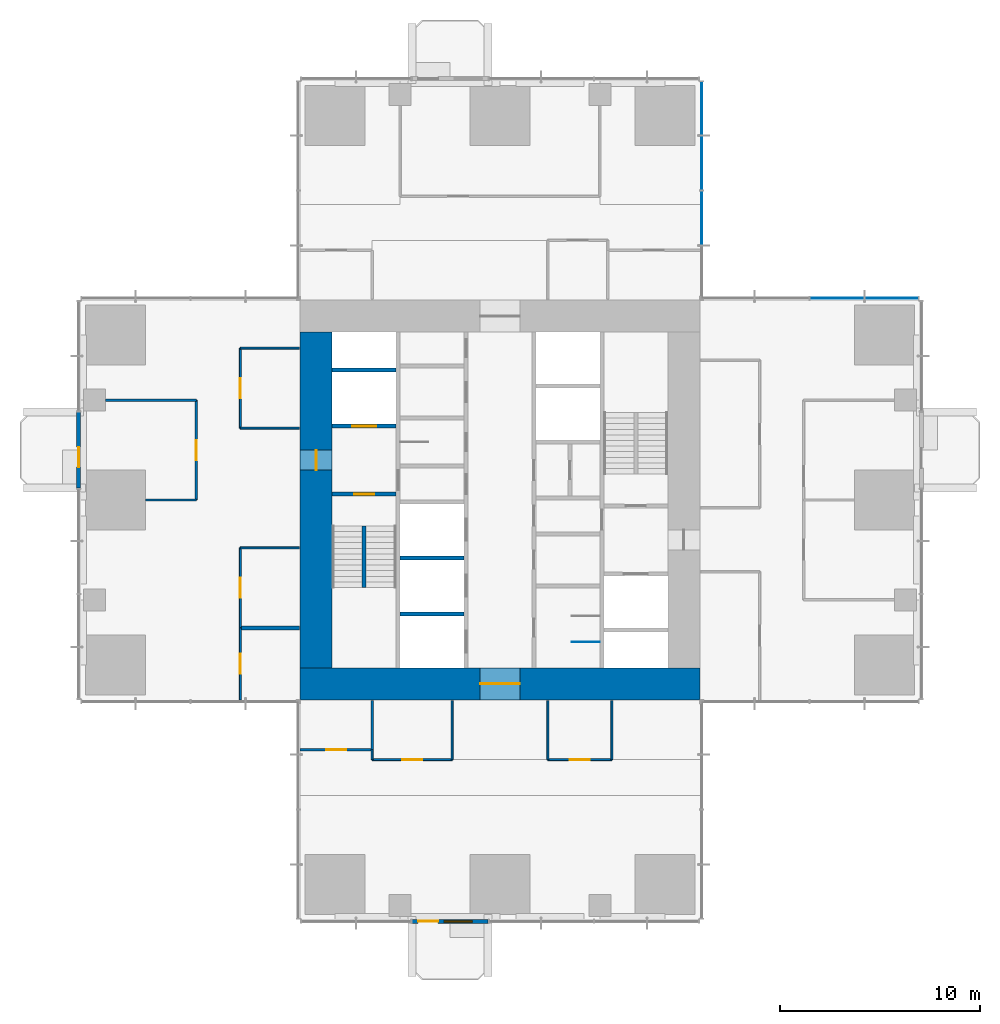
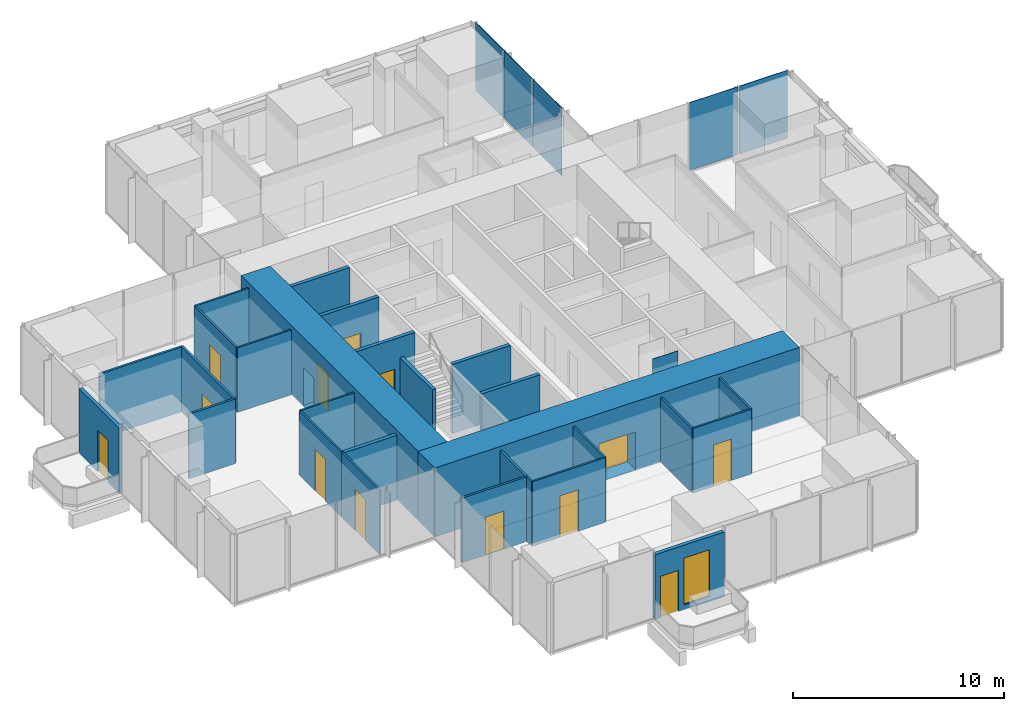
# One storey, part 8 of 13: 29 walls, 13 doors, 5 plates, 1 window, 14 openings, 2 elements without a shape of their own.
"""IFC4 building model written with IfcOpenShell, lengths in metres."""

from ifc_helpers import new_model, si_unit, direction, frame, frame_2d, origin, origin_2d, place, context, subcontext, project, spatial, rectangle, extrude, material, layer, layer_set, type_object, element, fill, aggregate, save


model = new_model("IFC4")

# Units and contexts
model_context = context("Model", 3, precision=1e-05, world=origin(), true_north=direction((0.0, 1.0)))
body_context = subcontext(model_context, "Body", "Model", "MODEL_VIEW")
ifc_project = project(units=[si_unit("LENGTHUNIT", "METRE"), si_unit("AREAUNIT", "SQUARE_METRE"), si_unit("VOLUMEUNIT", "CUBIC_METRE"), si_unit("PLANEANGLEUNIT", "RADIAN"), si_unit("MASSUNIT", "GRAM", prefix="KILO")], contexts=[model_context])

# Site, building, storey
site_placement = place(None, origin())
site = spatial("IfcSite", under=ifc_project, at=site_placement, CompositionType="ELEMENT")
building_placement = place(site_placement, origin())
building = spatial("IfcBuilding", under=site, at=building_placement, Name="Svetlomir Tower", CompositionType="ELEMENT")
storey_placement = place(building_placement, frame((0.0, 0.0, 140.5)))
storey = spatial("IfcBuildingStorey", under=building, at=storey_placement, Name="L33", CompositionType="ELEMENT", Elevation=140.5)

# Curtain wall, plates
ifc_material_1 = material(Name="Bronze anodised aluminium curtain wall", Category="aluminium")
curtain_wall_type = type_object("IfcCurtainWallType", Name="CURTAIN WALL CW1 TOWER OFFICE", PredefinedType="NOTDEFINED", material=ifc_material_1)
curtain_wall_1_placement = place(storey_placement, origin())
curtain_wall_1 = element("IfcCurtainWall", 1, at=curtain_wall_1_placement, inside=storey, type_object=curtain_wall_type, Name="Curtain wall CW1 L33", PredefinedType="NOTDEFINED")
ifc_material_2 = material(Name="Tinted double glazed unit", Category="glass")
ifc_layer_1 = layer(ifc_material_2, 0.031982421875)
ifc_layer_set_1 = layer_set([ifc_layer_1], Name="Tinted double glazed unit")
plate_type = type_object("IfcPlateType", Name="CW1 GLAZED PANEL 32", PredefinedType="CURTAIN_PANEL", material=ifc_layer_set_1)
plate_1_placement = place(storey_placement, frame((40.608642578125, 31.10009765625, 0.06494140625), z_axis=(0.0, 0.0, 1.0), x_axis=(-1.0, 0.0, 0.0)))
plate_1 = element("IfcPlate", 2, at=plate_1_placement, type_object=plate_type, Name="CW1 panel 1.1", PredefinedType="CURTAIN_PANEL", context=body_context, shape_type="SweptSolid", body=[
    extrude(rectangle(XDim=2.652587890625, YDim=0.031982421875, at=origin_2d()), origin(), (0.0, 0.0, 1.0), 3.93505859375),
])
plate_2_placement = place(storey_placement, frame((37.875, 31.10009765625, 0.06494140625), z_axis=(0.0, 0.0, 1.0), x_axis=(-1.0, 0.0, 0.0)))
plate_2 = element("IfcPlate", 3, at=plate_2_placement, type_object=plate_type, Name="CW1 panel 2.1", PredefinedType="CURTAIN_PANEL", context=body_context, shape_type="SweptSolid", body=[
    extrude(rectangle(XDim=2.68505859375, YDim=0.031982421875, at=origin_2d()), origin(), (0.0, 0.0, 1.0), 3.93505859375),
])
aggregate(curtain_wall_1, [plate_1, plate_2])

curtain_wall_2_placement = place(storey_placement, origin())
curtain_wall_2 = element("IfcCurtainWall", 4, at=curtain_wall_2_placement, inside=storey, type_object=curtain_wall_type, Name="Curtain wall CW1 L33", PredefinedType="NOTDEFINED")
plate_3_placement = place(storey_placement, frame((31.10009765625, 35.125, 0.06494140625), z_axis=(0.0, 0.0, 1.0), x_axis=(0.0, 1.0, 0.0)))
plate_3 = element("IfcPlate", 5, at=plate_3_placement, type_object=plate_type, Name="CW1 panel 2.1", PredefinedType="CURTAIN_PANEL", context=body_context, shape_type="SweptSolid", body=[
    extrude(rectangle(XDim=2.68505859375, YDim=0.031982421875, at=origin_2d()), origin(), (0.0, 0.0, 1.0), 3.93505859375),
])
plate_4_placement = place(storey_placement, frame((31.10009765625, 37.875, 0.06494140625), z_axis=(0.0, 0.0, 1.0), x_axis=(0.0, 1.0, 0.0)))
plate_4 = element("IfcPlate", 6, at=plate_4_placement, type_object=plate_type, Name="CW1 panel 3.1", PredefinedType="CURTAIN_PANEL", context=body_context, shape_type="SweptSolid", body=[
    extrude(rectangle(XDim=2.68505859375, YDim=0.031982421875, at=origin_2d()), origin(), (0.0, 0.0, 1.0), 3.93505859375),
])
plate_5_placement = place(storey_placement, frame((31.10009765625, 40.608642578125, 0.06494140625), z_axis=(0.0, 0.0, 1.0), x_axis=(0.0, 1.0, 0.0)))
plate_5 = element("IfcPlate", 7, at=plate_5_placement, type_object=plate_type, Name="CW1 panel 4.1", PredefinedType="CURTAIN_PANEL", context=body_context, shape_type="SweptSolid", body=[
    extrude(rectangle(XDim=2.652587890625, YDim=0.031982421875, at=origin_2d()), origin(), (0.0, 0.0, 1.0), 3.93505859375),
])
aggregate(curtain_wall_2, [plate_3, plate_4, plate_5])

# Wall
ifc_material_3 = material(Name="Gypsum board on twin steel studs", Category="steel")
ifc_layer_2 = layer(ifc_material_3, 0.199951171875)
ifc_layer_set_2 = layer_set([ifc_layer_2], Name="Gypsum board on twin steel studs")
wall_type_1 = type_object("IfcWallType", Name="ACOUSTIC PARTITION 200", PredefinedType="PARTITIONING", material=ifc_layer_set_2)
wall_1_placement = place(storey_placement, frame((8.0, 14.60009765625, 0.0), z_axis=(0.0, 0.0, 1.0), x_axis=(1.0, 0.0, 0.0)))
element("IfcWall", 8, at=wall_1_placement, inside=storey, type_object=wall_type_1, Name="Acoustic partition L33", PredefinedType="PARTITIONING", context=body_context, shape_type="SweptSolid", body=[
    extrude(rectangle(XDim=2.949951171875, YDim=0.199951171875, at=frame_2d((1.47509765625, 0.0))), origin(), (0.0, 0.0, 1.0), 3.75),
])

# Wall, openings, door, window
ifc_material_4 = material(Name="Bronze anodised aluminium glazed screen", Category="aluminium")
ifc_layer_3 = layer(ifc_material_4, 0.199951171875)
ifc_layer_set_3 = layer_set([ifc_layer_3], Name="Bronze anodised aluminium glazed screen")
wall_type_2 = type_object("IfcWallType", Name="BALCONY SCREEN WALL 200", PredefinedType="USERDEFINED", material=ifc_layer_set_3)
wall_2_placement = place(storey_placement, frame((16.60009765625, -0.10009765625, 0.0), z_axis=(0.0, 0.0, 1.0), x_axis=(1.0, 0.0, 0.0)))
wall_2 = element("IfcWall", 9, at=wall_2_placement, inside=storey, type_object=wall_type_2, Name="Balcony screen S", ObjectType="GLAZED SCREEN", PredefinedType="USERDEFINED", context=body_context, shape_type="SweptSolid", body=[
    extrude(rectangle(XDim=3.7998046875, YDim=0.199951171875, at=frame_2d((1.89990234375, 0.0))), origin(), (0.0, 0.0, 1.0), 3.75),
])
opening_1_placement = place(wall_2_placement, frame((0.300048828125, 0.0, 0.0)))
opening_1 = element("IfcOpeningElement", 10, at=opening_1_placement, cuts=wall_2, Name="Opening BD", PredefinedType="OPENING", context=body_context, shape_type="SweptSolid", body=[
    extrude(rectangle(XDim=1.0, YDim=2.39990234375, at=frame_2d((0.5, 1.199951171875))), frame((0.0, 0.10986328125, 0.0), z_axis=(0.0, -1.0, 0.0), x_axis=(1.0, 0.0, 0.0)), (0.0, 0.0, 1.0), 0.219970703125),
])
opening_2_placement = place(wall_2_placement, frame((1.60009765625, 0.0, 0.300048828125)))
opening_2 = element("IfcOpeningElement", 11, at=opening_2_placement, cuts=wall_2, Name="Opening WS2", PredefinedType="OPENING", context=body_context, shape_type="SweptSolid", body=[
    extrude(rectangle(XDim=1.39990234375, YDim=2.699951171875, at=frame_2d((0.699951171875, 1.35009765625))), frame((0.0, 0.10986328125, 0.0), z_axis=(0.0, -1.0, 0.0), x_axis=(1.0, 0.0, 0.0)), (0.0, 0.0, 1.0), 0.219970703125),
])
ifc_material_5 = material(Name="Bronze anodised aluminium glazed door", Category="aluminium")
door_type_1 = type_object("IfcDoorType", Name="BALCONY DOOR BD 1000x2400", OperationType="SINGLE_SWING_LEFT", PredefinedType="DOOR", material=ifc_material_5)
door_1_placement = place(opening_1_placement, origin())
door_1 = element("IfcDoor", 12, at=door_1_placement, inside=storey, type_object=door_type_1, Name="Balcony screen S door", OperationType="SINGLE_SWING_LEFT", OverallHeight=2.39990234375, OverallWidth=1.0, PredefinedType="DOOR", context=body_context, shape_type="SweptSolid", body=[
    extrude(rectangle(XDim=1.0, YDim=2.39990234375, at=frame_2d((0.5, 1.199951171875))), frame((0.0, 0.02490234375, 0.0), z_axis=(0.0, -1.0, 0.0), x_axis=(1.0, 0.0, 0.0)), (0.0, 0.0, 1.0), 0.050048828125),
])
fill(opening_1, door_1)
ifc_material_6 = material(Name="Bronze anodised aluminium window", Category="aluminium")
window_type = type_object("IfcWindowType", Name="SCREEN WINDOW WS2 1400x2700", PartitioningType="SINGLE_PANEL", PredefinedType="WINDOW", material=ifc_material_6)
window_placement = place(opening_2_placement, origin())
window = element("IfcWindow", 13, at=window_placement, inside=storey, type_object=window_type, Name="Balcony screen S window 1", OverallHeight=2.699951171875, OverallWidth=1.39990234375, PartitioningType="SINGLE_PANEL", PredefinedType="WINDOW", context=body_context, shape_type="SweptSolid", body=[
    extrude(rectangle(XDim=1.39990234375, YDim=2.699951171875, at=frame_2d((0.699951171875, 1.35009765625))), frame((0.0, 0.030029296875, 0.0), z_axis=(0.0, -1.0, 0.0), x_axis=(1.0, 0.0, 0.0)), (0.0, 0.0, 1.0), 0.06005859375),
])
fill(opening_2, window)

# Wall, opening, door
wall_3_placement = place(storey_placement, frame((-0.10009765625, 25.39990234375, 0.0), z_axis=(0.0, 0.0, 1.0), x_axis=(0.0, -1.0, 0.0)))
wall_3 = element("IfcWall", 14, at=wall_3_placement, inside=storey, type_object=wall_type_2, Name="Balcony screen W", ObjectType="GLAZED SCREEN", PredefinedType="USERDEFINED", context=body_context, shape_type="SweptSolid", body=[
    extrude(rectangle(XDim=3.7998046875, YDim=0.199951171875, at=frame_2d((1.89990234375, 0.0))), origin(), (0.0, 0.0, 1.0), 3.75),
])
opening_3_placement = place(wall_3_placement, frame((1.75, 0.0, 0.0)))
opening_3 = element("IfcOpeningElement", 15, at=opening_3_placement, cuts=wall_3, Name="Opening BD", PredefinedType="OPENING", context=body_context, shape_type="SweptSolid", body=[
    extrude(rectangle(XDim=1.0, YDim=2.39990234375, at=frame_2d((0.5, 1.199951171875))), frame((0.0, 0.10986328125, 0.0), z_axis=(0.0, -1.0, 0.0), x_axis=(1.0, 0.0, 0.0)), (0.0, 0.0, 1.0), 0.219970703125),
])
door_2_placement = place(opening_3_placement, origin())
door_2 = element("IfcDoor", 16, at=door_2_placement, inside=storey, type_object=door_type_1, Name="Balcony screen W door", OperationType="SINGLE_SWING_LEFT", OverallHeight=2.39990234375, OverallWidth=1.0, PredefinedType="DOOR", context=body_context, shape_type="SweptSolid", body=[
    extrude(rectangle(XDim=1.0, YDim=2.39990234375, at=frame_2d((0.5, 1.199951171875))), frame((0.0, 0.02490234375, 0.0), z_axis=(0.0, -1.0, 0.0), x_axis=(1.0, 0.0, 0.0)), (0.0, 0.0, 1.0), 0.050048828125),
])
fill(opening_3, door_2)

ifc_material_7 = material(Name="Concrete C60/75", Category="concrete")
ifc_layer_4 = layer(ifc_material_7, 0.199951171875)
ifc_layer_set_4 = layer_set([ifc_layer_4], Name="Concrete C60/75")
wall_type_3 = type_object("IfcWallType", Name="CORE INNER WALL 200", PredefinedType="SHEAR", material=ifc_layer_set_4)
wall_4_placement = place(storey_placement, frame((12.60009765625, 21.300048828125, -0.050048828125), z_axis=(0.0, 0.0, 1.0), x_axis=(1.0, 0.0, 0.0)))
wall_4 = element("IfcWall", 17, at=wall_4_placement, inside=storey, type_object=wall_type_3, Name="Core inner wall 12.6-15.8/21.3 L33", PredefinedType="SHEAR", context=body_context, shape_type="SweptSolid", body=[
    extrude(rectangle(XDim=3.199951171875, YDim=0.199951171875, at=frame_2d((1.60009765625, 0.0))), origin(), (0.0, 0.0, 1.0), 4.0),
])
opening_4_placement = place(wall_4_placement, frame((1.10009765625, 0.0, 0.050048828125)))
opening_4 = element("IfcOpeningElement", 18, at=opening_4_placement, cuts=wall_4, Name="Opening DF", PredefinedType="OPENING", context=body_context, shape_type="SweptSolid", body=[
    extrude(rectangle(XDim=1.0, YDim=2.199951171875, at=frame_2d((0.5, 1.10009765625))), frame((0.0, 0.10986328125, 0.0), z_axis=(0.0, -1.0, 0.0), x_axis=(1.0, 0.0, 0.0)), (0.0, 0.0, 1.0), 0.219970703125),
])
ifc_material_8 = material(Name="Steel fire door", Category="steel")
door_type_2 = type_object("IfcDoorType", Name="DOOR DF 1000x2200", OperationType="SINGLE_SWING_LEFT", PredefinedType="DOOR", material=ifc_material_8)
door_3_placement = place(opening_4_placement, origin())
door_3 = element("IfcDoor", 19, at=door_3_placement, inside=storey, type_object=door_type_2, Name="Stair S1 door L33", OperationType="SINGLE_SWING_LEFT", OverallHeight=2.199951171875, OverallWidth=1.0, PredefinedType="DOOR", context=body_context, shape_type="SweptSolid", body=[
    extrude(rectangle(XDim=1.0, YDim=2.199951171875, at=frame_2d((0.5, 1.10009765625))), frame((0.0, 0.02490234375, 0.0), z_axis=(0.0, -1.0, 0.0), x_axis=(1.0, 0.0, 0.0)), (0.0, 0.0, 1.0), 0.050048828125),
])
fill(opening_4, door_3)

wall_5_placement = place(storey_placement, frame((12.60009765625, 24.699951171875, -0.050048828125), z_axis=(0.0, 0.0, 1.0), x_axis=(1.0, 0.0, 0.0)))
wall_5 = element("IfcWall", 20, at=wall_5_placement, inside=storey, type_object=wall_type_3, Name="Core inner wall 12.6-15.8/24.7 L33", PredefinedType="SHEAR", context=body_context, shape_type="SweptSolid", body=[
    extrude(rectangle(XDim=3.199951171875, YDim=0.199951171875, at=frame_2d((1.60009765625, 0.0))), origin(), (0.0, 0.0, 1.0), 4.0),
])
opening_5_placement = place(wall_5_placement, frame((1.0, 0.0, 0.050048828125)))
opening_5 = element("IfcOpeningElement", 21, at=opening_5_placement, cuts=wall_5, Name="Opening LD3", PredefinedType="OPENING", context=body_context, shape_type="SweptSolid", body=[
    extrude(rectangle(XDim=1.199951171875, YDim=2.199951171875, at=frame_2d((0.60009765625, 1.10009765625))), frame((0.0, 0.10986328125, 0.0), z_axis=(0.0, -1.0, 0.0), x_axis=(1.0, 0.0, 0.0)), (0.0, 0.0, 1.0), 0.219970703125),
])
ifc_material_9 = material(Name="Stainless steel fire-rated landing door", Category="steel")
door_type_3 = type_object("IfcDoorType", Name="FIREFIGHTING LIFT LANDING DOOR LD3 1200x2200", OperationType="DOUBLE_DOOR_SLIDING", PredefinedType="DOOR", material=ifc_material_9)
door_4_placement = place(opening_5_placement, origin())
door_4 = element("IfcDoor", 22, at=door_4_placement, inside=storey, type_object=door_type_3, Name="Landing door lift FL1 L33", OperationType="DOUBLE_DOOR_SLIDING", OverallHeight=2.199951171875, OverallWidth=1.199951171875, PredefinedType="DOOR", context=body_context, shape_type="SweptSolid", body=[
    extrude(rectangle(XDim=1.199951171875, YDim=2.199951171875, at=frame_2d((0.60009765625, 1.10009765625))), frame((0.0, 0.02490234375, 0.0), z_axis=(0.0, -1.0, 0.0), x_axis=(1.0, 0.0, 0.0)), (0.0, 0.0, 1.0), 0.050048828125),
])
fill(opening_5, door_4)

# Walls
for number, where, z_axis, x_axis, name in (
    (23, (12.60009765625, 27.5, -0.050048828125), (0.0, 0.0, 1.0), (1.0, 0.0, 0.0), "Core inner wall 12.6-15.8/27.5 L33"),
    (24, (16.0, 15.300048828125, -0.050048828125), (0.0, 0.0, 1.0), (1.0, 0.0, 0.0), "Core inner wall 16-19.2/15.3 L33"),
    (25, (16.0, 18.10009765625, -0.050048828125), (0.0, 0.0, 1.0), (1.0, 0.0, 0.0), "Core inner wall 16-19.2/18.1 L33"),
):
    element("IfcWall", number, at=place(storey_placement, frame(where, z_axis=z_axis, x_axis=x_axis)), inside=storey, type_object=wall_type_3, Name=name, PredefinedType="SHEAR", context=body_context, shape_type="SweptSolid", body=[
        extrude(rectangle(XDim=3.199951171875, YDim=0.199951171875, at=frame_2d((1.60009765625, 0.0))), origin(), (0.0, 0.0, 1.0), 4.0),
    ])

# Wall, opening, door
ifc_material_10 = material(Name="Concrete C60/75", Category="concrete")
ifc_layer_5 = layer(ifc_material_10, 1.60009765625)
ifc_layer_set_5 = layer_set([ifc_layer_5], Name="Concrete C60/75")
wall_type_4 = type_object("IfcWallType", Name="CORE WALL 1600", PredefinedType="SHEAR", material=ifc_layer_set_5)
wall_6_placement = place(storey_placement, frame((11.0, 11.800048828125, -0.050048828125), z_axis=(0.0, 0.0, 1.0), x_axis=(1.0, 0.0, 0.0)))
wall_6 = element("IfcWall", 26, at=wall_6_placement, inside=storey, type_object=wall_type_4, Name="Core wall south L33", PredefinedType="SHEAR", context=body_context, shape_type="SweptSolid", body=[
    extrude(rectangle(XDim=20.0, YDim=1.60009765625, at=frame_2d((10.0, 0.0))), origin(), (0.0, 0.0, 1.0), 4.0),
])
opening_6_placement = place(wall_6_placement, frame((9.0, 0.0, 0.050048828125)))
opening_6 = element("IfcOpeningElement", 27, at=opening_6_placement, cuts=wall_6, Name="Opening DL", PredefinedType="OPENING", context=body_context, shape_type="SweptSolid", body=[
    extrude(rectangle(XDim=2.0, YDim=2.199951171875, at=frame_2d((1.0, 1.10009765625))), frame((0.0, 0.81005859375, 0.0), z_axis=(0.0, -1.0, 0.0), x_axis=(1.0, 0.0, 0.0)), (0.0, 0.0, 1.0), 1.6201171875),
])
ifc_material_11 = material(Name="Steel fire door", Category="steel")
door_type_4 = type_object("IfcDoorType", Name="DOOR DL 2000x2200", OperationType="DOUBLE_DOOR_SINGLE_SWING", PredefinedType="DOOR", material=ifc_material_11)
door_5_placement = place(opening_6_placement, origin())
door_5 = element("IfcDoor", 28, at=door_5_placement, inside=storey, type_object=door_type_4, Name="Lift lobby south door L33", OperationType="DOUBLE_DOOR_SINGLE_SWING", OverallHeight=2.199951171875, OverallWidth=2.0, PredefinedType="DOOR", context=body_context, shape_type="SweptSolid", body=[
    extrude(rectangle(XDim=2.0, YDim=2.199951171875, at=frame_2d((1.0, 1.10009765625))), frame((0.0, 0.02490234375, 0.0), z_axis=(0.0, -1.0, 0.0), x_axis=(1.0, 0.0, 0.0)), (0.0, 0.0, 1.0), 0.050048828125),
])
fill(opening_6, door_5)

wall_7_placement = place(storey_placement, frame((11.800048828125, 12.60009765625, -0.050048828125), z_axis=(0.0, 0.0, 1.0), x_axis=(0.0, 1.0, 0.0)))
wall_7 = element("IfcWall", 29, at=wall_7_placement, inside=storey, type_object=wall_type_4, Name="Core wall west L33", PredefinedType="SHEAR", context=body_context, shape_type="SweptSolid", body=[
    extrude(rectangle(XDim=16.7998046875, YDim=1.60009765625, at=frame_2d((8.39990234375, 0.0))), origin(), (0.0, 0.0, 1.0), 4.0),
])
opening_7_placement = place(wall_7_placement, frame((9.89990234375, 0.0, 0.050048828125)))
opening_7 = element("IfcOpeningElement", 30, at=opening_7_placement, cuts=wall_7, Name="Opening DF", PredefinedType="OPENING", context=body_context, shape_type="SweptSolid", body=[
    extrude(rectangle(XDim=1.0, YDim=2.199951171875, at=frame_2d((0.5, 1.10009765625))), frame((0.0, 0.81005859375, 0.0), z_axis=(0.0, -1.0, 0.0), x_axis=(1.0, 0.0, 0.0)), (0.0, 0.0, 1.0), 1.6201171875),
])
door_6_placement = place(opening_7_placement, origin())
door_6 = element("IfcDoor", 31, at=door_6_placement, inside=storey, type_object=door_type_2, Name="Firefighting lobby west door L33", OperationType="SINGLE_SWING_LEFT", OverallHeight=2.199951171875, OverallWidth=1.0, PredefinedType="DOOR", context=body_context, shape_type="SweptSolid", body=[
    extrude(rectangle(XDim=1.0, YDim=2.199951171875, at=frame_2d((0.5, 1.10009765625))), frame((0.0, 0.02490234375, 0.0), z_axis=(0.0, -1.0, 0.0), x_axis=(1.0, 0.0, 0.0)), (0.0, 0.0, 1.0), 0.050048828125),
])
fill(opening_7, door_6)

ifc_material_12 = material(Name="Framed laminated glass partition", Category="glass")
ifc_layer_6 = layer(ifc_material_12, 0.10009765625)
ifc_layer_set_6 = layer_set([ifc_layer_6], Name="Framed laminated glass partition")
wall_type_5 = type_object("IfcWallType", Name="GLAZED PARTITION 100", PredefinedType="PARTITIONING", material=ifc_layer_set_6)
wall_8_placement = place(storey_placement, frame((8.0, 11.0, 0.0), z_axis=(0.0, 0.0, 1.0), x_axis=(0.0, 1.0, 0.0)))
wall_8 = element("IfcWall", 32, at=wall_8_placement, inside=storey, type_object=wall_type_5, Name="Glazed partition L33", PredefinedType="PARTITIONING", context=body_context, shape_type="SweptSolid", body=[
    extrude(rectangle(XDim=3.60009765625, YDim=0.10009765625, at=frame_2d((1.800048828125, 0.0))), origin(), (0.0, 0.0, 1.0), 3.75),
])
opening_8_placement = place(wall_8_placement, frame((1.300048828125, 0.0, 0.0)))
opening_8 = element("IfcOpeningElement", 33, at=opening_8_placement, cuts=wall_8, Name="Opening DG", PredefinedType="OPENING", context=body_context, shape_type="SweptSolid", body=[
    extrude(rectangle(XDim=1.0, YDim=2.39990234375, at=frame_2d((0.5, 1.199951171875))), frame((0.0, 0.06005859375, 0.0), z_axis=(0.0, -1.0, 0.0), x_axis=(1.0, 0.0, 0.0)), (0.0, 0.0, 1.0), 0.1201171875),
])
ifc_material_13 = material(Name="Framed laminated glass door", Category="glass")
door_type_5 = type_object("IfcDoorType", Name="GLAZED DOOR DG 1000x2400", OperationType="SINGLE_SWING_LEFT", PredefinedType="DOOR", material=ifc_material_13)
door_7_placement = place(opening_8_placement, origin())
door_7 = element("IfcDoor", 34, at=door_7_placement, inside=storey, type_object=door_type_5, Name="Meeting room, 8 seats door L33", OperationType="SINGLE_SWING_RIGHT", OverallHeight=2.39990234375, OverallWidth=1.0, PredefinedType="DOOR", context=body_context, shape_type="SweptSolid", body=[
    extrude(rectangle(XDim=1.0, YDim=2.39990234375, at=frame_2d((0.5, 1.199951171875))), frame((0.0, 0.02490234375, 0.0), z_axis=(0.0, -1.0, 0.0), x_axis=(1.0, 0.0, 0.0)), (0.0, 0.0, 1.0), 0.050048828125),
])
fill(opening_8, door_7)

wall_9_placement = place(storey_placement, frame((8.0, 14.60009765625, 0.0), z_axis=(0.0, 0.0, 1.0), x_axis=(0.0, 1.0, 0.0)))
wall_9 = element("IfcWall", 35, at=wall_9_placement, inside=storey, type_object=wall_type_5, Name="Glazed partition L33", PredefinedType="PARTITIONING", context=body_context, shape_type="SweptSolid", body=[
    extrude(rectangle(XDim=4.0, YDim=0.10009765625, at=frame_2d((2.0, 0.0))), origin(), (0.0, 0.0, 1.0), 3.75),
])
opening_9_placement = place(wall_9_placement, frame((1.5, 0.0, 0.0)))
opening_9 = element("IfcOpeningElement", 36, at=opening_9_placement, cuts=wall_9, Name="Opening DG", PredefinedType="OPENING", context=body_context, shape_type="SweptSolid", body=[
    extrude(rectangle(XDim=1.0, YDim=2.39990234375, at=frame_2d((0.5, 1.199951171875))), frame((0.0, 0.06005859375, 0.0), z_axis=(0.0, -1.0, 0.0), x_axis=(1.0, 0.0, 0.0)), (0.0, 0.0, 1.0), 0.1201171875),
])
door_8_placement = place(opening_9_placement, origin())
door_8 = element("IfcDoor", 37, at=door_8_placement, inside=storey, type_object=door_type_5, Name="Meeting room, 4 seats 2 door L33", OperationType="SINGLE_SWING_RIGHT", OverallHeight=2.39990234375, OverallWidth=1.0, PredefinedType="DOOR", context=body_context, shape_type="SweptSolid", body=[
    extrude(rectangle(XDim=1.0, YDim=2.39990234375, at=frame_2d((0.5, 1.199951171875))), frame((0.0, 0.02490234375, 0.0), z_axis=(0.0, -1.0, 0.0), x_axis=(1.0, 0.0, 0.0)), (0.0, 0.0, 1.0), 0.050048828125),
])
fill(opening_9, door_8)

# Wall
wall_10_placement = place(storey_placement, frame((8.0, 18.60009765625, 0.0), z_axis=(0.0, 0.0, 1.0), x_axis=(1.0, 0.0, 0.0)))
element("IfcWall", 38, at=wall_10_placement, inside=storey, type_object=wall_type_5, Name="Glazed partition L33", PredefinedType="PARTITIONING", context=body_context, shape_type="SweptSolid", body=[
    extrude(rectangle(XDim=2.949951171875, YDim=0.10009765625, at=frame_2d((1.47509765625, 0.0))), origin(), (0.0, 0.0, 1.0), 3.75),
])

# Wall, opening, door
wall_11_placement = place(storey_placement, frame((8.0, 24.60009765625, 0.0), z_axis=(0.0, 0.0, 1.0), x_axis=(0.0, 1.0, 0.0)))
wall_11 = element("IfcWall", 39, at=wall_11_placement, inside=storey, type_object=wall_type_5, Name="Glazed partition L33", PredefinedType="PARTITIONING", context=body_context, shape_type="SweptSolid", body=[
    extrude(rectangle(XDim=4.0, YDim=0.10009765625, at=frame_2d((2.0, 0.0))), origin(), (0.0, 0.0, 1.0), 3.75),
])
opening_10_placement = place(wall_11_placement, frame((1.5, 0.0, 0.0)))
opening_10 = element("IfcOpeningElement", 40, at=opening_10_placement, cuts=wall_11, Name="Opening DG", PredefinedType="OPENING", context=body_context, shape_type="SweptSolid", body=[
    extrude(rectangle(XDim=1.0, YDim=2.39990234375, at=frame_2d((0.5, 1.199951171875))), frame((0.0, 0.06005859375, 0.0), z_axis=(0.0, -1.0, 0.0), x_axis=(1.0, 0.0, 0.0)), (0.0, 0.0, 1.0), 0.1201171875),
])
door_9_placement = place(opening_10_placement, origin())
door_9 = element("IfcDoor", 41, at=door_9_placement, inside=storey, type_object=door_type_5, Name="Focus room 1 door L33", OperationType="SINGLE_SWING_LEFT", OverallHeight=2.39990234375, OverallWidth=1.0, PredefinedType="DOOR", context=body_context, shape_type="SweptSolid", body=[
    extrude(rectangle(XDim=1.0, YDim=2.39990234375, at=frame_2d((0.5, 1.199951171875))), frame((0.0, 0.02490234375, 0.0), z_axis=(0.0, -1.0, 0.0), x_axis=(1.0, 0.0, 0.0)), (0.0, 0.0, 1.0), 0.050048828125),
])
fill(opening_10, door_9)

# Walls
for number, where, z_axis, x_axis, name in (
    (42, (8.0, 24.60009765625, 0.0), (0.0, 0.0, 1.0), (1.0, 0.0, 0.0), "Glazed partition L33"),
    (43, (8.0, 28.60009765625, 0.0), (0.0, 0.0, 1.0), (1.0, 0.0, 0.0), "Glazed partition L33"),
):
    element("IfcWall", number, at=place(storey_placement, frame(where, z_axis=z_axis, x_axis=x_axis)), inside=storey, type_object=wall_type_5, Name=name, PredefinedType="PARTITIONING", context=body_context, shape_type="SweptSolid", body=[
        extrude(rectangle(XDim=2.949951171875, YDim=0.10009765625, at=frame_2d((1.47509765625, 0.0))), origin(), (0.0, 0.0, 1.0), 3.75),
    ])
wall_12_placement = place(storey_placement, frame((14.60009765625, 8.0, 0.0), z_axis=(0.0, 0.0, 1.0), x_axis=(0.0, 1.0, 0.0)))
element("IfcWall", 44, at=wall_12_placement, inside=storey, type_object=wall_type_5, Name="Glazed partition L33", PredefinedType="PARTITIONING", context=body_context, shape_type="SweptSolid", body=[
    extrude(rectangle(XDim=0.5, YDim=0.10009765625, at=frame_2d((0.25, 0.0))), origin(), (0.0, 0.0, 1.0), 3.75),
])

# Wall, opening, door
wall_13_placement = place(storey_placement, frame((14.60009765625, 8.0, 0.0), z_axis=(0.0, 0.0, 1.0), x_axis=(1.0, 0.0, 0.0)))
wall_13 = element("IfcWall", 45, at=wall_13_placement, inside=storey, type_object=wall_type_5, Name="Glazed partition L33", PredefinedType="PARTITIONING", context=body_context, shape_type="SweptSolid", body=[
    extrude(rectangle(XDim=4.0, YDim=0.10009765625, at=frame_2d((2.0, 0.0))), origin(), (0.0, 0.0, 1.0), 3.75),
])
opening_11_placement = place(wall_13_placement, frame((1.5, 0.0, 0.0)))
opening_11 = element("IfcOpeningElement", 46, at=opening_11_placement, cuts=wall_13, Name="Opening DG", PredefinedType="OPENING", context=body_context, shape_type="SweptSolid", body=[
    extrude(rectangle(XDim=1.0, YDim=2.39990234375, at=frame_2d((0.5, 1.199951171875))), frame((0.0, 0.06005859375, 0.0), z_axis=(0.0, -1.0, 0.0), x_axis=(1.0, 0.0, 0.0)), (0.0, 0.0, 1.0), 0.1201171875),
])
door_10_placement = place(opening_11_placement, origin())
door_10 = element("IfcDoor", 47, at=door_10_placement, inside=storey, type_object=door_type_5, Name="Meeting room, 6 seats door L33", OperationType="SINGLE_SWING_LEFT", OverallHeight=2.39990234375, OverallWidth=1.0, PredefinedType="DOOR", context=body_context, shape_type="SweptSolid", body=[
    extrude(rectangle(XDim=1.0, YDim=2.39990234375, at=frame_2d((0.5, 1.199951171875))), frame((0.0, 0.02490234375, 0.0), z_axis=(0.0, -1.0, 0.0), x_axis=(1.0, 0.0, 0.0)), (0.0, 0.0, 1.0), 0.050048828125),
])
fill(opening_11, door_10)

# Walls
for number, where, z_axis, x_axis, name in (
    (48, (18.60009765625, 8.0, 0.0), (0.0, 0.0, 1.0), (0.0, 1.0, 0.0), "Glazed partition L33"),
    (49, (23.39990234375, 8.0, 0.0), (0.0, 0.0, 1.0), (0.0, 1.0, 0.0), "Glazed partition L33"),
):
    element("IfcWall", number, at=place(storey_placement, frame(where, z_axis=z_axis, x_axis=x_axis)), inside=storey, type_object=wall_type_5, Name=name, PredefinedType="PARTITIONING", context=body_context, shape_type="SweptSolid", body=[
        extrude(rectangle(XDim=2.949951171875, YDim=0.10009765625, at=frame_2d((1.47509765625, 0.0))), origin(), (0.0, 0.0, 1.0), 3.75),
    ])

# Wall, opening, door
wall_14_placement = place(storey_placement, frame((23.39990234375, 8.0, 0.0), z_axis=(0.0, 0.0, 1.0), x_axis=(1.0, 0.0, 0.0)))
wall_14 = element("IfcWall", 50, at=wall_14_placement, inside=storey, type_object=wall_type_5, Name="Glazed partition L33", PredefinedType="PARTITIONING", context=body_context, shape_type="SweptSolid", body=[
    extrude(rectangle(XDim=3.2001953125, YDim=0.10009765625, at=frame_2d((1.60009765625, 0.0))), origin(), (0.0, 0.0, 1.0), 3.75),
])
opening_12_placement = place(wall_14_placement, frame((1.10009765625, 0.0, 0.0)))
opening_12 = element("IfcOpeningElement", 51, at=opening_12_placement, cuts=wall_14, Name="Opening DG", PredefinedType="OPENING", context=body_context, shape_type="SweptSolid", body=[
    extrude(rectangle(XDim=1.0, YDim=2.39990234375, at=frame_2d((0.5, 1.199951171875))), frame((0.0, 0.06005859375, 0.0), z_axis=(0.0, -1.0, 0.0), x_axis=(1.0, 0.0, 0.0)), (0.0, 0.0, 1.0), 0.1201171875),
])
door_11_placement = place(opening_12_placement, origin())
door_11 = element("IfcDoor", 52, at=door_11_placement, inside=storey, type_object=door_type_5, Name="Meeting room, 4 seats 1 door L33", OperationType="SINGLE_SWING_RIGHT", OverallHeight=2.39990234375, OverallWidth=1.0, PredefinedType="DOOR", context=body_context, shape_type="SweptSolid", body=[
    extrude(rectangle(XDim=1.0, YDim=2.39990234375, at=frame_2d((0.5, 1.199951171875))), frame((0.0, 0.02490234375, 0.0), z_axis=(0.0, -1.0, 0.0), x_axis=(1.0, 0.0, 0.0)), (0.0, 0.0, 1.0), 0.050048828125),
])
fill(opening_12, door_11)

# Walls
wall_15_placement = place(storey_placement, frame((26.60009765625, 8.0, 0.0), z_axis=(0.0, 0.0, 1.0), x_axis=(0.0, 1.0, 0.0)))
element("IfcWall", 53, at=wall_15_placement, inside=storey, type_object=wall_type_5, Name="Glazed partition L33", PredefinedType="PARTITIONING", context=body_context, shape_type="SweptSolid", body=[
    extrude(rectangle(XDim=2.949951171875, YDim=0.10009765625, at=frame_2d((1.47509765625, 0.0))), origin(), (0.0, 0.0, 1.0), 3.75),
])
ifc_material_14 = material(Name="Gypsum board on steel studs", Category="steel")
ifc_layer_7 = layer(ifc_material_14, 0.1201171875)
ifc_layer_set_7 = layer_set([ifc_layer_7], Name="Gypsum board on steel studs")
wall_type_6 = type_object("IfcWallType", Name="PARTITION 120", PredefinedType="PARTITIONING", material=ifc_layer_set_7)
wall_16_placement = place(storey_placement, frame((1.260009765625, 26.0, 0.0), z_axis=(0.0, 0.0, 1.0), x_axis=(1.0, 0.0, 0.0)))
element("IfcWall", 54, at=wall_16_placement, inside=storey, type_object=wall_type_6, Name="Partition L33", PredefinedType="PARTITIONING", context=body_context, shape_type="SweptSolid", body=[
    extrude(rectangle(XDim=4.5400390625, YDim=0.1201171875, at=frame_2d((2.27001953125, 0.0))), origin(), (0.0, 0.0, 1.0), 3.75),
])
wall_17_placement = place(storey_placement, frame((3.260009765625, 21.0, 0.0), z_axis=(0.0, 0.0, 1.0), x_axis=(1.0, 0.0, 0.0)))
element("IfcWall", 55, at=wall_17_placement, inside=storey, type_object=wall_type_6, Name="Partition L33", PredefinedType="PARTITIONING", context=body_context, shape_type="SweptSolid", body=[
    extrude(rectangle(XDim=2.5400390625, YDim=0.1201171875, at=frame_2d((1.27001953125, 0.0))), origin(), (0.0, 0.0, 1.0), 3.75),
])

# Wall, opening, door
wall_18_placement = place(storey_placement, frame((5.800048828125, 21.0, 0.0), z_axis=(0.0, 0.0, 1.0), x_axis=(0.0, 1.0, 0.0)))
wall_18 = element("IfcWall", 56, at=wall_18_placement, inside=storey, type_object=wall_type_6, Name="Partition L33", PredefinedType="PARTITIONING", context=body_context, shape_type="SweptSolid", body=[
    extrude(rectangle(XDim=5.0, YDim=0.1201171875, at=frame_2d((2.5, 0.0))), origin(), (0.0, 0.0, 1.0), 3.75),
])
opening_13_placement = place(wall_18_placement, frame((2.0, 0.0, 0.0)))
opening_13 = element("IfcOpeningElement", 57, at=opening_13_placement, cuts=wall_18, Name="Opening DR", PredefinedType="OPENING", context=body_context, shape_type="SweptSolid", body=[
    extrude(rectangle(XDim=1.0, YDim=2.199951171875, at=frame_2d((0.5, 1.10009765625))), frame((0.0, 0.070068359375, 0.0), z_axis=(0.0, -1.0, 0.0), x_axis=(1.0, 0.0, 0.0)), (0.0, 0.0, 1.0), 0.14013671875),
])
ifc_material_15 = material(Name="Timber door, glazed side light", Category="wood")
door_type_6 = type_object("IfcDoorType", Name="DOOR DR 1000x2200", OperationType="SINGLE_SWING_LEFT", PredefinedType="DOOR", material=ifc_material_15)
door_12_placement = place(opening_13_placement, origin())
door_12 = element("IfcDoor", 58, at=door_12_placement, inside=storey, type_object=door_type_6, Name="Development manager's office door L33", OperationType="SINGLE_SWING_LEFT", OverallHeight=2.199951171875, OverallWidth=1.0, PredefinedType="DOOR", context=body_context, shape_type="SweptSolid", body=[
    extrude(rectangle(XDim=1.0, YDim=2.199951171875, at=frame_2d((0.5, 1.10009765625))), frame((0.0, 0.02490234375, 0.0), z_axis=(0.0, -1.0, 0.0), x_axis=(1.0, 0.0, 0.0)), (0.0, 0.0, 1.0), 0.050048828125),
])
fill(opening_13, door_12)

wall_19_placement = place(storey_placement, frame((11.0, 8.5, 0.0), z_axis=(0.0, 0.0, 1.0), x_axis=(1.0, 0.0, 0.0)))
wall_19 = element("IfcWall", 59, at=wall_19_placement, inside=storey, type_object=wall_type_6, Name="Partition L33", PredefinedType="PARTITIONING", context=body_context, shape_type="SweptSolid", body=[
    extrude(rectangle(XDim=3.60009765625, YDim=0.1201171875, at=frame_2d((1.800048828125, 0.0))), origin(), (0.0, 0.0, 1.0), 3.75),
])
opening_14_placement = place(wall_19_placement, frame((1.300048828125, 0.0, 0.0)))
opening_14 = element("IfcOpeningElement", 60, at=opening_14_placement, cuts=wall_19, Name="Opening DR", PredefinedType="OPENING", context=body_context, shape_type="SweptSolid", body=[
    extrude(rectangle(XDim=1.0, YDim=2.199951171875, at=frame_2d((0.5, 1.10009765625))), frame((0.0, 0.070068359375, 0.0), z_axis=(0.0, -1.0, 0.0), x_axis=(1.0, 0.0, 0.0)), (0.0, 0.0, 1.0), 0.14013671875),
])
door_13_placement = place(opening_14_placement, origin())
door_13 = element("IfcDoor", 61, at=door_13_placement, inside=storey, type_object=door_type_6, Name="Archive door L33", OperationType="SINGLE_SWING_RIGHT", OverallHeight=2.199951171875, OverallWidth=1.0, PredefinedType="DOOR", context=body_context, shape_type="SweptSolid", body=[
    extrude(rectangle(XDim=1.0, YDim=2.199951171875, at=frame_2d((0.5, 1.10009765625))), frame((0.0, 0.02490234375, 0.0), z_axis=(0.0, -1.0, 0.0), x_axis=(1.0, 0.0, 0.0)), (0.0, 0.0, 1.0), 0.050048828125),
])
fill(opening_14, door_13)

# Walls
wall_20_placement = place(storey_placement, frame((14.60009765625, 8.5, 0.0), z_axis=(0.0, 0.0, 1.0), x_axis=(0.0, 1.0, 0.0)))
element("IfcWall", 62, at=wall_20_placement, inside=storey, type_object=wall_type_6, Name="Partition L33", PredefinedType="PARTITIONING", context=body_context, shape_type="SweptSolid", body=[
    extrude(rectangle(XDim=2.449951171875, YDim=0.1201171875, at=frame_2d((1.22509765625, 0.0))), origin(), (0.0, 0.0, 1.0), 3.75),
])
ifc_material_16 = material(Name="Concrete C60/75", Category="concrete")
ifc_layer_8 = layer(ifc_material_16, 0.199951171875)
ifc_layer_set_8 = layer_set([ifc_layer_8], Name="Concrete C60/75")
wall_type_7 = type_object("IfcWallType", Name="STAIR SPINE WALL 200", PredefinedType="PARTITIONING", material=ifc_layer_set_8)
wall_21_placement = place(storey_placement, frame((14.199951171875, 16.6201171875, 0.0), z_axis=(0.0, 0.0, 1.0), x_axis=(0.0, 1.0, 0.0)))
element("IfcWall", 63, at=wall_21_placement, inside=storey, type_object=wall_type_7, Name="Stair S1 spine wall L33", PredefinedType="PARTITIONING", context=body_context, shape_type="SweptSolid", body=[
    extrude(rectangle(XDim=3.079833984375, YDim=0.199951171875, at=frame_2d((1.5400390625, 0.0))), origin(), (0.0, 0.0, 1.0), 4.0),
])
ifc_material_17 = material(Name="Compact laminate panel", Category="plastic")
ifc_layer_9 = layer(ifc_material_17, 0.030029296875)
ifc_layer_set_9 = layer_set([ifc_layer_9], Name="Compact laminate panel")
wall_type_8 = type_object("IfcWallType", Name="WC CUBICLE PARTITION 30", PredefinedType="PARTITIONING", material=ifc_layer_set_9)
wall_22_placement = place(storey_placement, frame((24.60009765625, 13.89990234375, 0.0), z_axis=(0.0, 0.0, 1.0), x_axis=(1.0, 0.0, 0.0)))
element("IfcWall", 64, at=wall_22_placement, inside=storey, type_object=wall_type_8, Name="WC cubicle partition L33", PredefinedType="PARTITIONING", context=body_context, shape_type="SweptSolid", body=[
    extrude(rectangle(XDim=1.39990234375, YDim=0.030029296875, at=frame_2d((0.699951171875, 0.0))), origin(), (0.0, 0.0, 1.0), 3.75),
])

save(model, "model.ifc")
